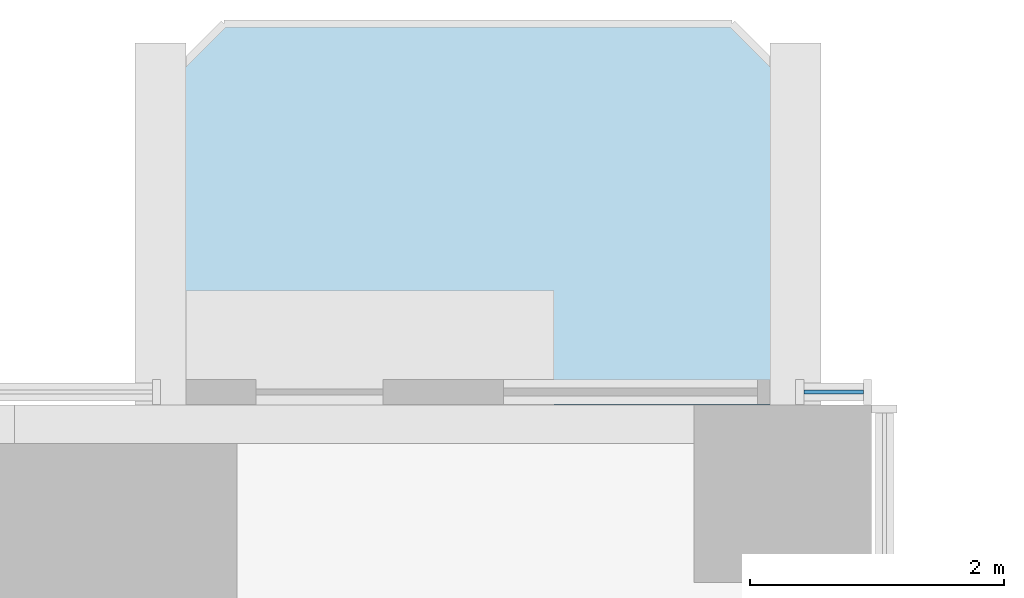
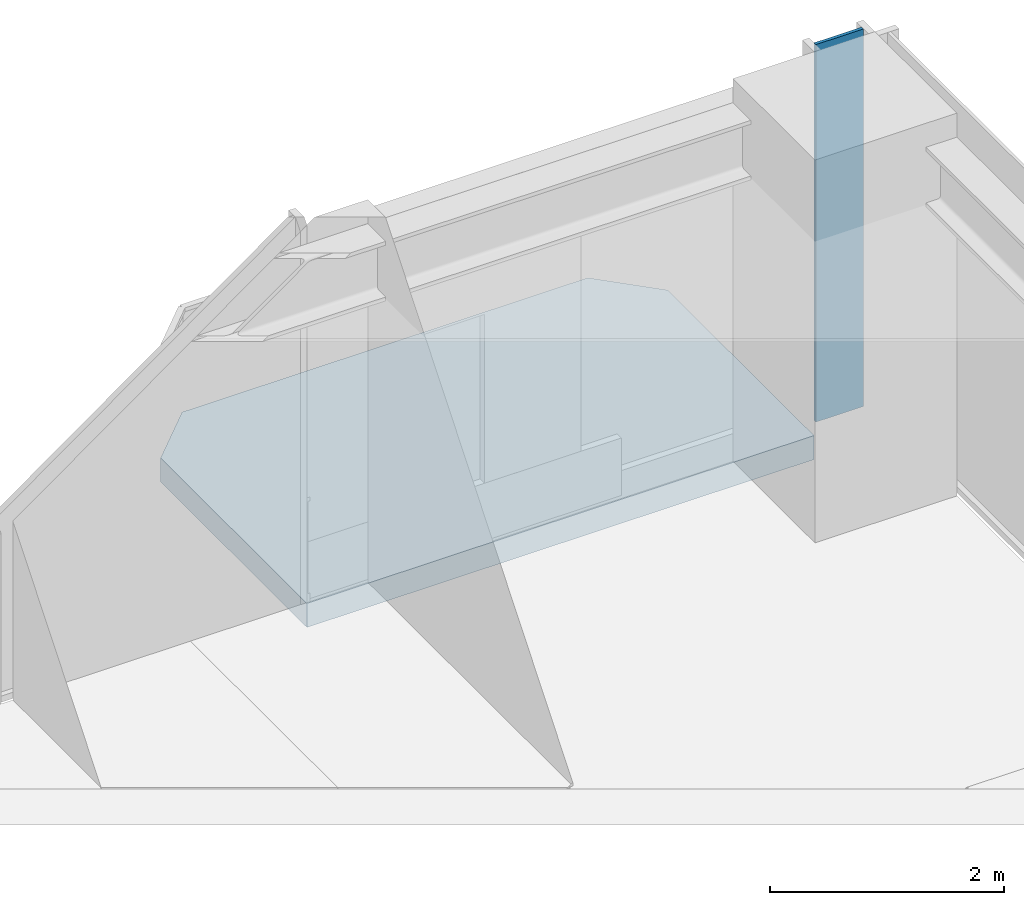
# One storey, part 10 of 17: 1 plate, 1 slab, 1 element without a shape of its own.
"""IFC4 building model written with IfcOpenShell, lengths in metres."""

from ifc_helpers import new_model, si_unit, direction, frame, origin, origin_2d, place, context, subcontext, project, spatial, polyline, rectangle, outline, extrude, material, layer, layer_set, type_object, element, aggregate, save


model = new_model("IFC4")

# Units and contexts
model_context = context("Model", 3, precision=1e-05, world=origin(), true_north=direction((0.0, 1.0)))
body_context = subcontext(model_context, "Body", "Model", "MODEL_VIEW")
ifc_project = project(units=[si_unit("LENGTHUNIT", "METRE"), si_unit("AREAUNIT", "SQUARE_METRE"), si_unit("VOLUMEUNIT", "CUBIC_METRE"), si_unit("PLANEANGLEUNIT", "RADIAN"), si_unit("MASSUNIT", "GRAM", prefix="KILO")], contexts=[model_context])

# Site, building, storey
site_placement = place(None, origin())
site = spatial("IfcSite", under=ifc_project, at=site_placement, CompositionType="ELEMENT")
building_placement = place(site_placement, origin())
building = spatial("IfcBuilding", under=site, at=building_placement, Name="Svetlomir Tower", CompositionType="ELEMENT")
storey_placement = place(building_placement, frame((0.0, 0.0, 70.5)))
storey = spatial("IfcBuildingStorey", under=building, at=storey_placement, Name="L16", CompositionType="ELEMENT", Elevation=70.5)

# Slab
ifc_material_1 = material(Name="Concrete C60/75", Category="concrete")
ifc_layer_1 = layer(ifc_material_1, 0.25)
ifc_layer_set_1 = layer_set([ifc_layer_1], Name="Concrete C60/75")
slab_type = type_object("IfcSlabType", Name="BALCONY SLAB 250", PredefinedType="FLOOR", material=ifc_layer_set_1)
slab_placement = place(storey_placement, frame((0.0, 0.0, -0.25)))
element("IfcSlab", 1, at=slab_placement, inside=storey, type_object=slab_type, Name="L16 N planted balcony", PredefinedType="FLOOR", context=body_context, shape_type="SweptSolid", body=[
    extrude(outline(polyline([(30.39990234375, 42.0), (35.39990234375, 42.0), (35.39990234375, 44.5), (34.89990234375, 45.0), (30.89990234375, 45.0), (30.39990234375, 44.5), (30.39990234375, 42.0)])), origin(), (0.0, 0.0, 1.0), 0.25),
])

# Curtain wall, plate
ifc_material_2 = material(Name="Bronze anodised aluminium curtain wall", Category="aluminium")
curtain_wall_type = type_object("IfcCurtainWallType", Name="CURTAIN WALL CW1 TOWER OFFICE", PredefinedType="NOTDEFINED", material=ifc_material_2)
curtain_wall_placement = place(storey_placement, origin())
curtain_wall = element("IfcCurtainWall", 2, at=curtain_wall_placement, inside=storey, type_object=curtain_wall_type, Name="Curtain wall CW1 L16", PredefinedType="NOTDEFINED")
ifc_material_3 = material(Name="Tinted double glazed unit", Category="glass")
ifc_layer_2 = layer(ifc_material_3, 0.031982421875)
ifc_layer_set_2 = layer_set([ifc_layer_2], Name="Tinted double glazed unit")
plate_type = type_object("IfcPlateType", Name="CW1 GLAZED PANEL 32", PredefinedType="CURTAIN_PANEL", material=ifc_layer_set_2)
plate_placement = place(storey_placement, frame((35.699951171875, 42.10009765625, 0.06494140625), z_axis=(0.0, 0.0, 1.0), x_axis=(-1.0, 0.0, 0.0)))
plate = element("IfcPlate", 3, at=plate_placement, type_object=plate_type, Name="CW1 panel 1.1", PredefinedType="CURTAIN_PANEL", context=body_context, shape_type="SweptSolid", body=[
    extrude(rectangle(XDim=0.469970703125, YDim=0.031982421875, at=origin_2d()), origin(), (0.0, 0.0, 1.0), 3.93505859375),
])
aggregate(curtain_wall, [plate])

save(model, "model.ifc")
